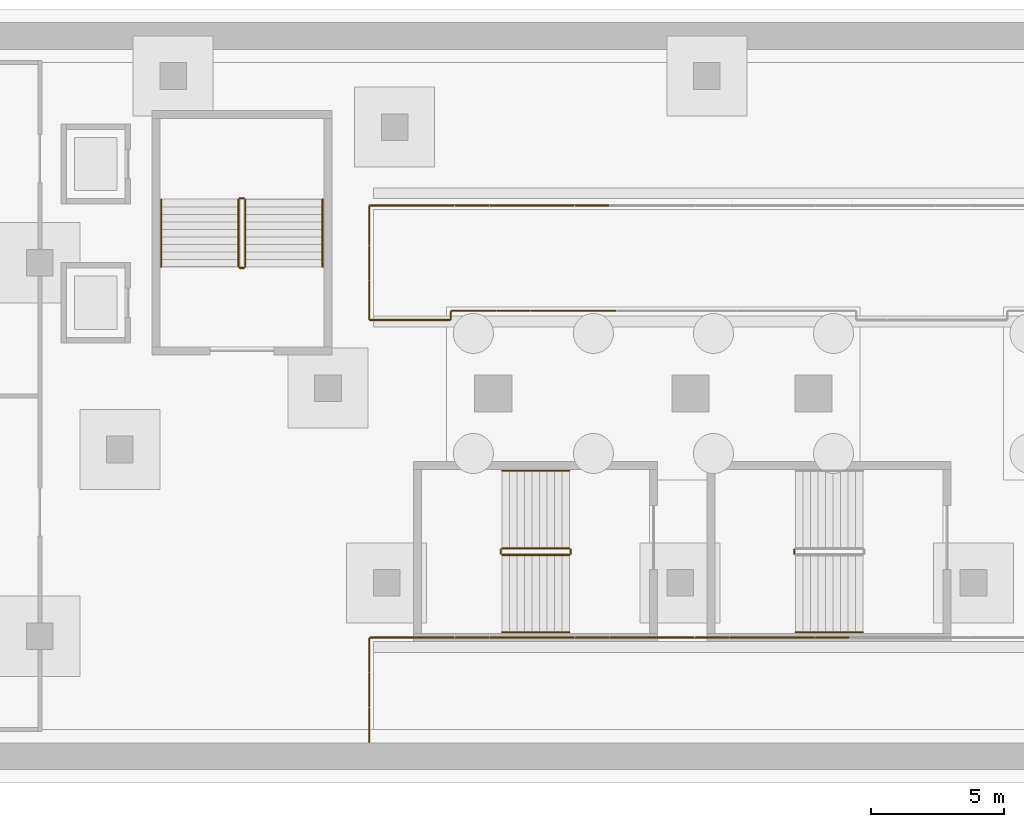
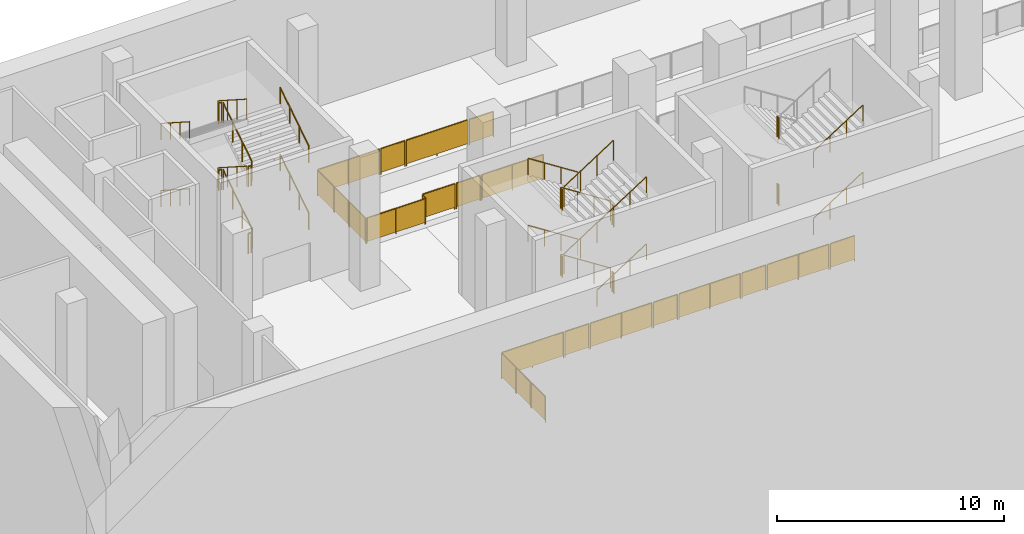
# One storey, part 9 of 15: 51 railings.
"""IFC4 building model written with IfcOpenShell, lengths in metres."""

from ifc_helpers import new_model, si_unit, direction, frame, origin, origin_2d, place, context, subcontext, project, spatial, rectangle, circle, extrude, material, type_object, element, save


model = new_model("IFC4")

# Units and contexts
model_context = context("Model", 3, precision=1e-05, world=origin(), true_north=direction((0.0, 1.0)))
body_context = subcontext(model_context, "Body", "Model", "MODEL_VIEW")
ifc_project = project(units=[si_unit("LENGTHUNIT", "METRE"), si_unit("AREAUNIT", "SQUARE_METRE"), si_unit("VOLUMEUNIT", "CUBIC_METRE"), si_unit("PLANEANGLEUNIT", "RADIAN"), si_unit("MASSUNIT", "GRAM", prefix="KILO")], contexts=[model_context])

# Site, building, storey
site_placement = place(None, origin())
site = spatial("IfcSite", under=ifc_project, at=site_placement, CompositionType="ELEMENT")
building_placement = place(site_placement, origin())
building = spatial("IfcBuilding", under=site, at=building_placement, Name="Wharfspan Tower", CompositionType="ELEMENT")
storey_placement = place(building_placement, frame((0.0, 0.0, -14.399902)))
storey = spatial("IfcBuildingStorey", under=building, at=storey_placement, Name="B2", CompositionType="ELEMENT", Elevation=-14.399902)

# Railings
ifc_material_1 = material(Name="Aluminium frame with laminated glass", Category="aluminium")
railing_type_1 = type_object("IfcRailingType", Name="Platform edge screen 1400", PredefinedType="GUARDRAIL", material=ifc_material_1)
for number, where, name in (
    (1, (7.350098, -34.958984, 0.0), "Platform edge screen"),
    (2, (7.350098, -32.334473, 0.0), "Platform edge screen"),
):
    element("IfcRailing", number, at=place(storey_placement, frame(where)), inside=storey, type_object=railing_type_1, Name=name, PredefinedType="GUARDRAIL", context=body_context, shape_type="SweptSolid", body=[
        extrude(circle(Radius=0.024902, at=origin_2d()), frame((0.0, 0.0, 1.375), z_axis=(0.0, 1.0, 0.0), x_axis=(-1.0, 0.0, 0.0)), (0.0, 0.0, 1.0), 1.244385),
        extrude(circle(Radius=0.024902, at=origin_2d()), origin(), (0.0, 0.0, 1.0), 1.349854),
        extrude(circle(Radius=0.024902, at=origin_2d()), frame((0.0, 1.244385, 0.0)), (0.0, 0.0, 1.0), 1.349854),
        extrude(rectangle(XDim=1.244385, YDim=0.02002, at=origin_2d()), frame((0.0, 0.62207, 0.100098), z_axis=(0.0, 0.0, 1.0), x_axis=(0.0, 1.0, 0.0)), (0.0, 0.0, 1.0), 1.249756),
    ])
for number, where, name in (
    (3, (7.389893, -31.050049, 0.0), "Platform edge screen"),
    (4, (11.889893, -31.050049, 0.0), "Platform edge screen"),
    (5, (16.389893, -31.050049, 0.0), "Platform edge screen"),
    (6, (20.889893, -31.050049, 0.0), "Platform edge screen"),
):
    element("IfcRailing", number, at=place(storey_placement, frame(where)), inside=storey, type_object=railing_type_1, Name=name, PredefinedType="GUARDRAIL", context=body_context, shape_type="SweptSolid", body=[
        extrude(circle(Radius=0.024902, at=origin_2d()), frame((0.0, 0.0, 1.375), z_axis=(1.0, 0.0, 0.0), x_axis=(0.0, 1.0, 0.0)), (0.0, 0.0, 1.0), 3.120117),
        extrude(circle(Radius=0.024902, at=origin_2d()), origin(), (0.0, 0.0, 1.0), 1.349854),
        extrude(circle(Radius=0.024902, at=origin_2d()), frame((1.560059, 0.0, 0.0)), (0.0, 0.0, 1.0), 1.349854),
        extrude(circle(Radius=0.024902, at=origin_2d()), frame((3.120117, 0.0, 0.0)), (0.0, 0.0, 1.0), 1.349854),
        extrude(rectangle(XDim=3.120117, YDim=0.02002, at=origin_2d()), frame((1.560059, 0.0, 0.100098), z_axis=(0.0, 0.0, 1.0), x_axis=(1.0, 0.0, 0.0)), (0.0, 0.0, 1.0), 1.249756),
    ])
for number, where, name in (
    (7, (7.350098, -19.110107, 0.0), "Platform edge screen"),
    (8, (7.350098, -16.310059, 0.0), "Platform edge screen"),
):
    element("IfcRailing", number, at=place(storey_placement, frame(where)), inside=storey, type_object=railing_type_1, Name=name, PredefinedType="GUARDRAIL", context=body_context, shape_type="SweptSolid", body=[
        extrude(circle(Radius=0.024902, at=origin_2d()), frame((0.0, 0.0, 1.375), z_axis=(0.0, 1.0, 0.0), x_axis=(-1.0, 0.0, 0.0)), (0.0, 0.0, 1.0), 1.420166),
        extrude(circle(Radius=0.024902, at=origin_2d()), origin(), (0.0, 0.0, 1.0), 1.349854),
        extrude(circle(Radius=0.024902, at=origin_2d()), frame((0.0, 1.420166, 0.0)), (0.0, 0.0, 1.0), 1.349854),
        extrude(rectangle(XDim=1.420166, YDim=0.02002, at=origin_2d()), frame((0.0, 0.709961, 0.100098), z_axis=(0.0, 0.0, 1.0), x_axis=(0.0, 1.0, 0.0)), (0.0, 0.0, 1.0), 1.249756),
    ])
railing_1_placement = place(storey_placement, frame((10.360107, -19.149902, 0.0)))
element("IfcRailing", 9, at=railing_1_placement, inside=storey, type_object=railing_type_1, Name="Platform edge screen", PredefinedType="GUARDRAIL", context=body_context, shape_type="SweptSolid", body=[
    extrude(circle(Radius=0.024902, at=origin_2d()), frame((0.0, 0.0, 1.375), z_axis=(-1.0, 0.0, 0.0), x_axis=(0.0, -1.0, 0.0)), (0.0, 0.0, 1.0), 2.970215),
    extrude(circle(Radius=0.024902, at=origin_2d()), origin(), (0.0, 0.0, 1.0), 1.349854),
    extrude(circle(Radius=0.024902, at=origin_2d()), frame((-1.485107, 0.0, 0.0)), (0.0, 0.0, 1.0), 1.349854),
    extrude(circle(Radius=0.024902, at=origin_2d()), frame((-2.970215, 0.0, 0.0)), (0.0, 0.0, 1.0), 1.349854),
    extrude(rectangle(XDim=2.970215, YDim=0.02002, at=origin_2d()), frame((-1.485107, 0.0, 0.100098), z_axis=(0.0, 0.0, 1.0), x_axis=(-1.0, 0.0, 0.0)), (0.0, 0.0, 1.0), 1.249756),
])
railing_2_placement = place(storey_placement, frame((10.399902, -18.840088, 0.0)))
element("IfcRailing", 10, at=railing_2_placement, inside=storey, type_object=railing_type_1, Name="Platform edge screen", PredefinedType="GUARDRAIL", context=body_context, shape_type="SweptSolid", body=[
    extrude(circle(Radius=0.024902, at=origin_2d()), frame((0.0, 0.0, 1.375), z_axis=(0.0, -1.0, 0.0), x_axis=(1.0, 0.0, 0.0)), (0.0, 0.0, 1.0), 0.27002),
    extrude(circle(Radius=0.024902, at=origin_2d()), origin(), (0.0, 0.0, 1.0), 1.349854),
    extrude(circle(Radius=0.024902, at=origin_2d()), frame((0.0, -0.27002, 0.0)), (0.0, 0.0, 1.0), 1.349854),
    extrude(rectangle(XDim=0.27002, YDim=0.02002, at=origin_2d()), frame((0.0, -0.13501, 0.100098), z_axis=(0.0, 0.0, 1.0), x_axis=(0.0, -1.0, 0.0)), (0.0, 0.0, 1.0), 1.249756),
])
railing_3_placement = place(storey_placement, frame((16.560059, -18.800049, 0.0)))
element("IfcRailing", 11, at=railing_3_placement, inside=storey, type_object=railing_type_1, Name="Platform edge screen", PredefinedType="GUARDRAIL", context=body_context, shape_type="SweptSolid", body=[
    extrude(circle(Radius=0.024902, at=origin_2d()), frame((0.0, 0.0, 1.375), z_axis=(-1.0, 0.0, 0.0), x_axis=(0.0, -1.0, 0.0)), (0.0, 0.0, 1.0), 3.120117),
    extrude(circle(Radius=0.024902, at=origin_2d()), origin(), (0.0, 0.0, 1.0), 1.349854),
    extrude(circle(Radius=0.024902, at=origin_2d()), frame((-1.560059, 0.0, 0.0)), (0.0, 0.0, 1.0), 1.349854),
    extrude(circle(Radius=0.024902, at=origin_2d()), frame((-3.120117, 0.0, 0.0)), (0.0, 0.0, 1.0), 1.349854),
    extrude(rectangle(XDim=3.120117, YDim=0.02002, at=origin_2d()), frame((-1.560059, 0.0, 0.100098), z_axis=(0.0, 0.0, 1.0), x_axis=(-1.0, 0.0, 0.0)), (0.0, 0.0, 1.0), 1.249756),
])
railing_4_placement = place(storey_placement, frame((12.060059, -18.800049, 0.0)))
element("IfcRailing", 12, at=railing_4_placement, inside=storey, type_object=railing_type_1, Name="Platform edge screen", PredefinedType="GUARDRAIL", context=body_context, shape_type="SweptSolid", body=[
    extrude(circle(Radius=0.024902, at=origin_2d()), frame((0.0, 0.0, 1.375), z_axis=(-1.0, 0.0, 0.0), x_axis=(0.0, -1.0, 0.0)), (0.0, 0.0, 1.0), 1.620117),
    extrude(circle(Radius=0.024902, at=origin_2d()), origin(), (0.0, 0.0, 1.0), 1.349854),
    extrude(circle(Radius=0.024902, at=origin_2d()), frame((-1.620117, 0.0, 0.0)), (0.0, 0.0, 1.0), 1.349854),
    extrude(rectangle(XDim=1.620117, YDim=0.02002, at=origin_2d()), frame((-0.810059, 0.0, 0.100098), z_axis=(0.0, 0.0, 1.0), x_axis=(-1.0, 0.0, 0.0)), (0.0, 0.0, 1.0), 1.249756),
])
for number, where, name in (
    (13, (7.389893, -14.850098, 0.0), "Platform edge screen"),
    (14, (11.889893, -14.850098, 0.0), "Platform edge screen"),
):
    element("IfcRailing", number, at=place(storey_placement, frame(where)), inside=storey, type_object=railing_type_1, Name=name, PredefinedType="GUARDRAIL", context=body_context, shape_type="SweptSolid", body=[
        extrude(circle(Radius=0.024902, at=origin_2d()), frame((0.0, 0.0, 1.375), z_axis=(1.0, 0.0, 0.0), x_axis=(0.0, 1.0, 0.0)), (0.0, 0.0, 1.0), 3.120117),
        extrude(circle(Radius=0.024902, at=origin_2d()), origin(), (0.0, 0.0, 1.0), 1.349854),
        extrude(circle(Radius=0.024902, at=origin_2d()), frame((1.560059, 0.0, 0.0)), (0.0, 0.0, 1.0), 1.349854),
        extrude(circle(Radius=0.024902, at=origin_2d()), frame((3.120117, 0.0, 0.0)), (0.0, 0.0, 1.0), 1.349854),
        extrude(rectangle(XDim=3.120117, YDim=0.02002, at=origin_2d()), frame((1.560059, 0.0, 0.100098), z_axis=(0.0, 0.0, 1.0), x_axis=(1.0, 0.0, 0.0)), (0.0, 0.0, 1.0), 1.249756),
    ])
railing_type_2 = type_object("IfcRailingType", Name="Platform end gate 1400 (closed)", PredefinedType="GUARDRAIL", material=ifc_material_1)
railing_5_placement = place(storey_placement, frame((7.350098, -33.634521, 0.0)))
element("IfcRailing", 15, at=railing_5_placement, inside=storey, type_object=railing_type_2, Name="Platform end gate (closed)", PredefinedType="GUARDRAIL", context=body_context, shape_type="SweptSolid", body=[
    extrude(circle(Radius=0.024902, at=origin_2d()), frame((0.0, 0.0, 1.375), z_axis=(0.0, 1.0, 0.0), x_axis=(-1.0, 0.0, 0.0)), (0.0, 0.0, 1.0), 1.219971),
    extrude(circle(Radius=0.024902, at=origin_2d()), origin(), (0.0, 0.0, 1.0), 1.349854),
    extrude(circle(Radius=0.024902, at=origin_2d()), frame((0.0, 1.219971, 0.0)), (0.0, 0.0, 1.0), 1.349854),
    extrude(rectangle(XDim=1.219971, YDim=0.02002, at=origin_2d()), frame((0.0, 0.609863, 0.100098), z_axis=(0.0, 0.0, 1.0), x_axis=(0.0, 1.0, 0.0)), (0.0, 0.0, 1.0), 1.249756),
])
railing_6_placement = place(storey_placement, frame((7.350098, -17.610107, 0.0)))
element("IfcRailing", 16, at=railing_6_placement, inside=storey, type_object=railing_type_2, Name="Platform end gate (closed)", PredefinedType="GUARDRAIL", context=body_context, shape_type="SweptSolid", body=[
    extrude(circle(Radius=0.024902, at=origin_2d()), frame((0.0, 0.0, 1.375), z_axis=(0.0, 1.0, 0.0), x_axis=(-1.0, 0.0, 0.0)), (0.0, 0.0, 1.0), 1.220215),
    extrude(circle(Radius=0.024902, at=origin_2d()), origin(), (0.0, 0.0, 1.0), 1.349854),
    extrude(circle(Radius=0.024902, at=origin_2d()), frame((0.0, 1.220215, 0.0)), (0.0, 0.0, 1.0), 1.349854),
    extrude(rectangle(XDim=1.220215, YDim=0.02002, at=origin_2d()), frame((0.0, 0.610107, 0.100098), z_axis=(0.0, 0.0, 1.0), x_axis=(0.0, 1.0, 0.0)), (0.0, 0.0, 1.0), 1.249756),
])
railing_type_3 = type_object("IfcRailingType", Name="Platform screen door leaf 1400 (closed)", PredefinedType="GUARDRAIL", material=ifc_material_1)
for number, where, name in (
    (17, (10.590088, -31.050049, 0.0), "Platform screen door leaf (closed)"),
    (18, (15.090088, -31.050049, 0.0), "Platform screen door leaf (closed)"),
    (19, (19.590088, -31.050049, 0.0), "Platform screen door leaf (closed)"),
    (20, (24.090088, -31.050049, 0.0), "Platform screen door leaf (closed)"),
):
    element("IfcRailing", number, at=place(storey_placement, frame(where)), inside=storey, type_object=railing_type_3, Name=name, PredefinedType="GUARDRAIL", context=body_context, shape_type="SweptSolid", body=[
        extrude(circle(Radius=0.024902, at=origin_2d()), frame((0.0, 0.0, 1.375), z_axis=(1.0, 0.0, 0.0), x_axis=(0.0, 1.0, 0.0)), (0.0, 0.0, 1.0), 1.219971),
        extrude(circle(Radius=0.024902, at=origin_2d()), origin(), (0.0, 0.0, 1.0), 1.349854),
        extrude(circle(Radius=0.024902, at=origin_2d()), frame((1.219971, 0.0, 0.0)), (0.0, 0.0, 1.0), 1.349854),
        extrude(rectangle(XDim=1.219971, YDim=0.02002, at=origin_2d()), frame((0.609863, 0.0, 0.100098), z_axis=(0.0, 0.0, 1.0), x_axis=(1.0, 0.0, 0.0)), (0.0, 0.0, 1.0), 1.249756),
    ])
railing_7_placement = place(storey_placement, frame((13.360107, -18.800049, 0.0)))
element("IfcRailing", 21, at=railing_7_placement, inside=storey, type_object=railing_type_3, Name="Platform screen door leaf (closed)", PredefinedType="GUARDRAIL", context=body_context, shape_type="SweptSolid", body=[
    extrude(circle(Radius=0.024902, at=origin_2d()), frame((0.0, 0.0, 1.375), z_axis=(-1.0, 0.0, 0.0), x_axis=(0.0, -1.0, 0.0)), (0.0, 0.0, 1.0), 1.220215),
    extrude(circle(Radius=0.024902, at=origin_2d()), origin(), (0.0, 0.0, 1.0), 1.349854),
    extrude(circle(Radius=0.024902, at=origin_2d()), frame((-1.220215, 0.0, 0.0)), (0.0, 0.0, 1.0), 1.349854),
    extrude(rectangle(XDim=1.220215, YDim=0.02002, at=origin_2d()), frame((-0.610107, 0.0, 0.100098), z_axis=(0.0, 0.0, 1.0), x_axis=(-1.0, 0.0, 0.0)), (0.0, 0.0, 1.0), 1.249756),
])
for number, where, name in (
    (22, (10.590088, -14.850098, 0.0), "Platform screen door leaf (closed)"),
    (23, (15.090088, -14.850098, 0.0), "Platform screen door leaf (closed)"),
):
    element("IfcRailing", number, at=place(storey_placement, frame(where)), inside=storey, type_object=railing_type_3, Name=name, PredefinedType="GUARDRAIL", context=body_context, shape_type="SweptSolid", body=[
        extrude(circle(Radius=0.024902, at=origin_2d()), frame((0.0, 0.0, 1.375), z_axis=(1.0, 0.0, 0.0), x_axis=(0.0, 1.0, 0.0)), (0.0, 0.0, 1.0), 1.219971),
        extrude(circle(Radius=0.024902, at=origin_2d()), origin(), (0.0, 0.0, 1.0), 1.349854),
        extrude(circle(Radius=0.024902, at=origin_2d()), frame((1.219971, 0.0, 0.0)), (0.0, 0.0, 1.0), 1.349854),
        extrude(rectangle(XDim=1.219971, YDim=0.02002, at=origin_2d()), frame((0.609863, 0.0, 0.100098), z_axis=(0.0, 0.0, 1.0), x_axis=(1.0, 0.0, 0.0)), (0.0, 0.0, 1.0), 1.249756),
    ])
ifc_material_2 = material(Name="Steel S355J2", Category="steel")
railing_type_4 = type_object("IfcRailingType", Name="Podium guard 1100", PredefinedType="GUARDRAIL", material=ifc_material_2)
railing_8_placement = place(storey_placement, frame((14.850098, -27.699951, 0.179932)))
element("IfcRailing", 24, at=railing_8_placement, inside=storey, type_object=railing_type_4, Name="B2 SB1 stair guard 1", PredefinedType="GUARDRAIL", context=body_context, shape_type="SweptSolid", body=[
    extrude(circle(Radius=0.023926, at=origin_2d()), frame((0.0, 0.0, 1.076172), z_axis=(-0.8412, 0.0, 0.540725), x_axis=(0.0, -1.0, 0.0)), (0.0, 0.0, 1.0), 2.99585),
    extrude(circle(Radius=0.020996, at=origin_2d()), origin(), (0.0, 0.0, 1.0), 1.052002),
    extrude(circle(Radius=0.020996, at=origin_2d()), frame((-0.840088, 0.0, 0.540039)), (0.0, 0.0, 1.0), 1.052002),
    extrude(circle(Radius=0.020996, at=origin_2d()), frame((-1.679932, 0.0, 1.079834)), (0.0, 0.0, 1.0), 1.052002),
    extrude(circle(Radius=0.020996, at=origin_2d()), frame((-2.52002, 0.0, 1.619873)), (0.0, 0.0, 1.0), 1.052002),
])
railing_9_placement = place(storey_placement, frame((12.280029, -27.75, 1.799805)))
element("IfcRailing", 25, at=railing_9_placement, inside=storey, type_object=railing_type_4, Name="B2 SB1 stair guard 2", PredefinedType="GUARDRAIL", context=body_context, shape_type="SweptSolid", body=[
    extrude(circle(Radius=0.023926, at=origin_2d()), frame((0.0, 0.0, 1.076172), z_axis=(0.0, -1.0, 0.0), x_axis=(1.0, 0.0, 0.0)), (0.0, 0.0, 1.0), 0.149902),
    extrude(circle(Radius=0.020996, at=origin_2d()), origin(), (0.0, 0.0, 1.0), 1.052002),
    extrude(circle(Radius=0.020996, at=origin_2d()), frame((0.0, -0.149902, 0.0)), (0.0, 0.0, 1.0), 1.052002),
])
railing_10_placement = place(storey_placement, frame((12.330078, -27.949951, 1.97998)))
element("IfcRailing", 26, at=railing_10_placement, inside=storey, type_object=railing_type_4, Name="B2 SB1 stair guard 3", PredefinedType="GUARDRAIL", context=body_context, shape_type="SweptSolid", body=[
    extrude(circle(Radius=0.023926, at=origin_2d()), frame((0.0, 0.0, 1.076172), z_axis=(0.8412, 0.0, 0.540725), x_axis=(0.0, 1.0, 0.0)), (0.0, 0.0, 1.0), 2.99585),
    extrude(circle(Radius=0.020996, at=origin_2d()), origin(), (0.0, 0.0, 1.0), 1.052002),
    extrude(circle(Radius=0.020996, at=origin_2d()), frame((0.840088, 0.0, 0.540039)), (0.0, 0.0, 1.0), 1.052002),
    extrude(circle(Radius=0.020996, at=origin_2d()), frame((1.679932, 0.0, 1.079834)), (0.0, 0.0, 1.0), 1.052002),
    extrude(circle(Radius=0.020996, at=origin_2d()), frame((2.52002, 0.0, 1.619873)), (0.0, 0.0, 1.0), 1.052002),
])
railing_11_placement = place(storey_placement, frame((14.899902, -27.75, 3.599854)))
element("IfcRailing", 27, at=railing_11_placement, inside=storey, type_object=railing_type_4, Name="B2 SB1 stair guard 4", PredefinedType="GUARDRAIL", context=body_context, shape_type="SweptSolid", body=[
    extrude(circle(Radius=0.023926, at=origin_2d()), frame((0.0, 0.0, 1.076172), z_axis=(0.0, -1.0, 0.0), x_axis=(1.0, 0.0, 0.0)), (0.0, 0.0, 1.0), 0.149902),
    extrude(circle(Radius=0.020996, at=origin_2d()), origin(), (0.0, 0.0, 1.0), 1.052002),
    extrude(circle(Radius=0.020996, at=origin_2d()), frame((0.0, -0.149902, 0.0)), (0.0, 0.0, 1.0), 1.052002),
])
railing_12_placement = place(storey_placement, frame((14.850098, -27.699951, 3.779785)))
element("IfcRailing", 28, at=railing_12_placement, inside=storey, type_object=railing_type_4, Name="B2 SB1 stair guard 5", PredefinedType="GUARDRAIL", context=body_context, shape_type="SweptSolid", body=[
    extrude(circle(Radius=0.023926, at=origin_2d()), frame((0.0, 0.0, 1.076172), z_axis=(-0.841163, 0.0, 0.540782), x_axis=(0.0, -1.0, 0.0)), (0.0, 0.0, 1.0), 2.99585),
    extrude(circle(Radius=0.020996, at=origin_2d()), origin(), (0.0, 0.0, 1.0), 1.052002),
    extrude(circle(Radius=0.020996, at=origin_2d()), frame((-0.840088, 0.0, 0.540039)), (0.0, 0.0, 1.0), 1.052002),
    extrude(circle(Radius=0.020996, at=origin_2d()), frame((-1.679932, 0.0, 1.080078)), (0.0, 0.0, 1.0), 1.052002),
    extrude(circle(Radius=0.020996, at=origin_2d()), frame((-2.52002, 0.0, 1.620117)), (0.0, 0.0, 1.0), 1.052002),
])
railing_13_placement = place(storey_placement, frame((12.280029, -27.75, 5.399902)))
element("IfcRailing", 29, at=railing_13_placement, inside=storey, type_object=railing_type_4, Name="B2 SB1 stair guard 6", PredefinedType="GUARDRAIL", context=body_context, shape_type="SweptSolid", body=[
    extrude(circle(Radius=0.023926, at=origin_2d()), frame((0.0, 0.0, 1.076172), z_axis=(0.0, -1.0, 0.0), x_axis=(1.0, 0.0, 0.0)), (0.0, 0.0, 1.0), 0.149902),
    extrude(circle(Radius=0.020996, at=origin_2d()), origin(), (0.0, 0.0, 1.0), 1.052002),
    extrude(circle(Radius=0.020996, at=origin_2d()), frame((0.0, -0.149902, 0.0)), (0.0, 0.0, 1.0), 1.052002),
])
railing_14_placement = place(storey_placement, frame((12.330078, -27.949951, 5.579834)))
element("IfcRailing", 30, at=railing_14_placement, inside=storey, type_object=railing_type_4, Name="B2 SB1 stair guard 7", PredefinedType="GUARDRAIL", context=body_context, shape_type="SweptSolid", body=[
    extrude(circle(Radius=0.023926, at=origin_2d()), frame((0.0, 0.0, 1.076172), z_axis=(0.841163, 0.0, 0.540782), x_axis=(0.0, 1.0, 0.0)), (0.0, 0.0, 1.0), 2.99585),
    extrude(circle(Radius=0.020996, at=origin_2d()), origin(), (0.0, 0.0, 1.0), 1.052002),
    extrude(circle(Radius=0.020996, at=origin_2d()), frame((0.840088, 0.0, 0.540039)), (0.0, 0.0, 1.0), 1.052002),
    extrude(circle(Radius=0.020996, at=origin_2d()), frame((1.679932, 0.0, 1.080078)), (0.0, 0.0, 1.0), 1.052002),
    extrude(circle(Radius=0.020996, at=origin_2d()), frame((2.52002, 0.0, 1.620117)), (0.0, 0.0, 1.0), 1.052002),
])
for number, where, name in (
    (31, (14.899902, -27.75, 0.0), "B2 SB1 stair guard 8"),
    (32, (23.280029, -27.75, 1.799805), "B2 SB2 stair guard 2"),
    (33, (23.280029, -27.75, 5.399902), "B2 SB2 stair guard 6"),
):
    element("IfcRailing", number, at=place(storey_placement, frame(where)), inside=storey, type_object=railing_type_4, Name=name, PredefinedType="GUARDRAIL", context=body_context, shape_type="SweptSolid", body=[
        extrude(circle(Radius=0.023926, at=origin_2d()), frame((0.0, 0.0, 1.076172), z_axis=(0.0, -1.0, 0.0), x_axis=(1.0, 0.0, 0.0)), (0.0, 0.0, 1.0), 0.149902),
        extrude(circle(Radius=0.020996, at=origin_2d()), origin(), (0.0, 0.0, 1.0), 1.052002),
        extrude(circle(Radius=0.020996, at=origin_2d()), frame((0.0, -0.149902, 0.0)), (0.0, 0.0, 1.0), 1.052002),
    ])
railing_15_placement = place(storey_placement, frame((2.699951, -17.149902, 0.179932)))
element("IfcRailing", 34, at=railing_15_placement, inside=storey, type_object=railing_type_4, Name="B2 SB6 stair guard 1", PredefinedType="GUARDRAIL", context=body_context, shape_type="SweptSolid", body=[
    extrude(circle(Radius=0.023926, at=origin_2d()), frame((0.0, 0.0, 1.076172), z_axis=(0.0, 0.8412, 0.540725), x_axis=(-1.0, 0.0, 0.0)), (0.0, 0.0, 1.0), 2.99585),
    extrude(circle(Radius=0.020996, at=origin_2d()), origin(), (0.0, 0.0, 1.0), 1.052002),
    extrude(circle(Radius=0.020996, at=origin_2d()), frame((0.0, 0.840088, 0.540039)), (0.0, 0.0, 1.0), 1.052002),
    extrude(circle(Radius=0.020996, at=origin_2d()), frame((0.0, 1.679932, 1.079834)), (0.0, 0.0, 1.0), 1.052002),
    extrude(circle(Radius=0.020996, at=origin_2d()), frame((0.0, 2.52002, 1.619873)), (0.0, 0.0, 1.0), 1.052002),
])
railing_16_placement = place(storey_placement, frame((2.649902, -14.580078, 1.799805)))
element("IfcRailing", 35, at=railing_16_placement, inside=storey, type_object=railing_type_4, Name="B2 SB6 stair guard 2", PredefinedType="GUARDRAIL", context=body_context, shape_type="SweptSolid", body=[
    extrude(circle(Radius=0.023926, at=origin_2d()), frame((0.0, 0.0, 1.076172), z_axis=(-1.0, 0.0, 0.0), x_axis=(0.0, -1.0, 0.0)), (0.0, 0.0, 1.0), 0.149902),
    extrude(circle(Radius=0.020996, at=origin_2d()), origin(), (0.0, 0.0, 1.0), 1.052002),
    extrude(circle(Radius=0.020996, at=origin_2d()), frame((-0.149902, 0.0, 0.0)), (0.0, 0.0, 1.0), 1.052002),
])
railing_17_placement = place(storey_placement, frame((2.449951, -14.629883, 1.97998)))
element("IfcRailing", 36, at=railing_17_placement, inside=storey, type_object=railing_type_4, Name="B2 SB6 stair guard 3", PredefinedType="GUARDRAIL", context=body_context, shape_type="SweptSolid", body=[
    extrude(circle(Radius=0.023926, at=origin_2d()), frame((0.0, 0.0, 1.076172), z_axis=(0.0, -0.8412, 0.540725), x_axis=(1.0, 0.0, 0.0)), (0.0, 0.0, 1.0), 2.99585),
    extrude(circle(Radius=0.020996, at=origin_2d()), origin(), (0.0, 0.0, 1.0), 1.052002),
    extrude(circle(Radius=0.020996, at=origin_2d()), frame((0.0, -0.840088, 0.540039)), (0.0, 0.0, 1.0), 1.052002),
    extrude(circle(Radius=0.020996, at=origin_2d()), frame((0.0, -1.679932, 1.079834)), (0.0, 0.0, 1.0), 1.052002),
    extrude(circle(Radius=0.020996, at=origin_2d()), frame((0.0, -2.52002, 1.619873)), (0.0, 0.0, 1.0), 1.052002),
])
railing_18_placement = place(storey_placement, frame((2.649902, -17.199951, 3.599854)))
element("IfcRailing", 37, at=railing_18_placement, inside=storey, type_object=railing_type_4, Name="B2 SB6 stair guard 4", PredefinedType="GUARDRAIL", context=body_context, shape_type="SweptSolid", body=[
    extrude(circle(Radius=0.023926, at=origin_2d()), frame((0.0, 0.0, 1.076172), z_axis=(-1.0, 0.0, 0.0), x_axis=(0.0, -1.0, 0.0)), (0.0, 0.0, 1.0), 0.149902),
    extrude(circle(Radius=0.020996, at=origin_2d()), origin(), (0.0, 0.0, 1.0), 1.052002),
    extrude(circle(Radius=0.020996, at=origin_2d()), frame((-0.149902, 0.0, 0.0)), (0.0, 0.0, 1.0), 1.052002),
])
railing_19_placement = place(storey_placement, frame((2.699951, -17.149902, 3.779785)))
element("IfcRailing", 38, at=railing_19_placement, inside=storey, type_object=railing_type_4, Name="B2 SB6 stair guard 5", PredefinedType="GUARDRAIL", context=body_context, shape_type="SweptSolid", body=[
    extrude(circle(Radius=0.023926, at=origin_2d()), frame((0.0, 0.0, 1.076172), z_axis=(0.0, 0.841163, 0.540782), x_axis=(-1.0, 0.0, 0.0)), (0.0, 0.0, 1.0), 2.99585),
    extrude(circle(Radius=0.020996, at=origin_2d()), origin(), (0.0, 0.0, 1.0), 1.052002),
    extrude(circle(Radius=0.020996, at=origin_2d()), frame((0.0, 0.840088, 0.540039)), (0.0, 0.0, 1.0), 1.052002),
    extrude(circle(Radius=0.020996, at=origin_2d()), frame((0.0, 1.679932, 1.080078)), (0.0, 0.0, 1.0), 1.052002),
    extrude(circle(Radius=0.020996, at=origin_2d()), frame((0.0, 2.52002, 1.620117)), (0.0, 0.0, 1.0), 1.052002),
])
railing_20_placement = place(storey_placement, frame((2.649902, -14.580078, 5.399902)))
element("IfcRailing", 39, at=railing_20_placement, inside=storey, type_object=railing_type_4, Name="B2 SB6 stair guard 6", PredefinedType="GUARDRAIL", context=body_context, shape_type="SweptSolid", body=[
    extrude(circle(Radius=0.023926, at=origin_2d()), frame((0.0, 0.0, 1.076172), z_axis=(-1.0, 0.0, 0.0), x_axis=(0.0, -1.0, 0.0)), (0.0, 0.0, 1.0), 0.149902),
    extrude(circle(Radius=0.020996, at=origin_2d()), origin(), (0.0, 0.0, 1.0), 1.052002),
    extrude(circle(Radius=0.020996, at=origin_2d()), frame((-0.149902, 0.0, 0.0)), (0.0, 0.0, 1.0), 1.052002),
])
railing_21_placement = place(storey_placement, frame((2.449951, -14.629883, 5.579834)))
element("IfcRailing", 40, at=railing_21_placement, inside=storey, type_object=railing_type_4, Name="B2 SB6 stair guard 7", PredefinedType="GUARDRAIL", context=body_context, shape_type="SweptSolid", body=[
    extrude(circle(Radius=0.023926, at=origin_2d()), frame((0.0, 0.0, 1.076172), z_axis=(0.0, -0.841163, 0.540782), x_axis=(1.0, 0.0, 0.0)), (0.0, 0.0, 1.0), 2.99585),
    extrude(circle(Radius=0.020996, at=origin_2d()), origin(), (0.0, 0.0, 1.0), 1.052002),
    extrude(circle(Radius=0.020996, at=origin_2d()), frame((0.0, -0.840088, 0.540039)), (0.0, 0.0, 1.0), 1.052002),
    extrude(circle(Radius=0.020996, at=origin_2d()), frame((0.0, -1.679932, 1.080078)), (0.0, 0.0, 1.0), 1.052002),
    extrude(circle(Radius=0.020996, at=origin_2d()), frame((0.0, -2.52002, 1.620117)), (0.0, 0.0, 1.0), 1.052002),
])
railing_22_placement = place(storey_placement, frame((2.649902, -17.199951, 0.0)))
element("IfcRailing", 41, at=railing_22_placement, inside=storey, type_object=railing_type_4, Name="B2 SB6 stair guard 8", PredefinedType="GUARDRAIL", context=body_context, shape_type="SweptSolid", body=[
    extrude(circle(Radius=0.023926, at=origin_2d()), frame((0.0, 0.0, 1.076172), z_axis=(-1.0, 0.0, 0.0), x_axis=(0.0, -1.0, 0.0)), (0.0, 0.0, 1.0), 0.149902),
    extrude(circle(Radius=0.020996, at=origin_2d()), origin(), (0.0, 0.0, 1.0), 1.052002),
    extrude(circle(Radius=0.020996, at=origin_2d()), frame((-0.149902, 0.0, 0.0)), (0.0, 0.0, 1.0), 1.052002),
])
railing_type_5 = type_object("IfcRailingType", Name="Podium stair handrail 900", PredefinedType="HANDRAIL", material=ifc_material_2)
railing_23_placement = place(storey_placement, frame((14.850098, -24.800049, 0.179932)))
element("IfcRailing", 42, at=railing_23_placement, inside=storey, type_object=railing_type_5, Name="B2 SB1 stair handrail 1", PredefinedType="HANDRAIL", context=body_context, shape_type="SweptSolid", body=[
    extrude(circle(Radius=0.023926, at=origin_2d()), frame((0.0, 0.0, 0.875977), z_axis=(-0.8412, 0.0, 0.540725), x_axis=(0.0, -1.0, 0.0)), (0.0, 0.0, 1.0), 2.99585),
    extrude(circle(Radius=0.020996, at=origin_2d()), origin(), (0.0, 0.0, 1.0), 0.851807),
    extrude(circle(Radius=0.020996, at=origin_2d()), frame((-0.840088, 0.0, 0.540039)), (0.0, 0.0, 1.0), 0.851807),
    extrude(circle(Radius=0.020996, at=origin_2d()), frame((-1.679932, 0.0, 1.079834)), (0.0, 0.0, 1.0), 0.851807),
    extrude(circle(Radius=0.020996, at=origin_2d()), frame((-2.52002, 0.0, 1.619873)), (0.0, 0.0, 1.0), 0.851807),
])
railing_24_placement = place(storey_placement, frame((12.330078, -30.850098, 1.97998)))
element("IfcRailing", 43, at=railing_24_placement, inside=storey, type_object=railing_type_5, Name="B2 SB1 stair handrail 2", PredefinedType="HANDRAIL", context=body_context, shape_type="SweptSolid", body=[
    extrude(circle(Radius=0.023926, at=origin_2d()), frame((0.0, 0.0, 0.875977), z_axis=(0.8412, 0.0, 0.540725), x_axis=(0.0, 1.0, 0.0)), (0.0, 0.0, 1.0), 2.99585),
    extrude(circle(Radius=0.020996, at=origin_2d()), origin(), (0.0, 0.0, 1.0), 0.851807),
    extrude(circle(Radius=0.020996, at=origin_2d()), frame((0.840088, 0.0, 0.540039)), (0.0, 0.0, 1.0), 0.851807),
    extrude(circle(Radius=0.020996, at=origin_2d()), frame((1.679932, 0.0, 1.079834)), (0.0, 0.0, 1.0), 0.851807),
    extrude(circle(Radius=0.020996, at=origin_2d()), frame((2.52002, 0.0, 1.619873)), (0.0, 0.0, 1.0), 0.851807),
])
railing_25_placement = place(storey_placement, frame((14.850098, -24.800049, 3.779785)))
element("IfcRailing", 44, at=railing_25_placement, inside=storey, type_object=railing_type_5, Name="B2 SB1 stair handrail 3", PredefinedType="HANDRAIL", context=body_context, shape_type="SweptSolid", body=[
    extrude(circle(Radius=0.023926, at=origin_2d()), frame((0.0, 0.0, 0.875977), z_axis=(-0.841163, 0.0, 0.540782), x_axis=(0.0, -1.0, 0.0)), (0.0, 0.0, 1.0), 2.99585),
    extrude(circle(Radius=0.020996, at=origin_2d()), origin(), (0.0, 0.0, 1.0), 0.851807),
    extrude(circle(Radius=0.020996, at=origin_2d()), frame((-0.840088, 0.0, 0.540039)), (0.0, 0.0, 1.0), 0.851807),
    extrude(circle(Radius=0.020996, at=origin_2d()), frame((-1.679932, 0.0, 1.080078)), (0.0, 0.0, 1.0), 0.851807),
    extrude(circle(Radius=0.020996, at=origin_2d()), frame((-2.52002, 0.0, 1.620117)), (0.0, 0.0, 1.0), 0.851807),
])
railing_26_placement = place(storey_placement, frame((12.330078, -30.850098, 5.579834)))
element("IfcRailing", 45, at=railing_26_placement, inside=storey, type_object=railing_type_5, Name="B2 SB1 stair handrail 4", PredefinedType="HANDRAIL", context=body_context, shape_type="SweptSolid", body=[
    extrude(circle(Radius=0.023926, at=origin_2d()), frame((0.0, 0.0, 0.875977), z_axis=(0.841163, 0.0, 0.540782), x_axis=(0.0, 1.0, 0.0)), (0.0, 0.0, 1.0), 2.99585),
    extrude(circle(Radius=0.020996, at=origin_2d()), origin(), (0.0, 0.0, 1.0), 0.851807),
    extrude(circle(Radius=0.020996, at=origin_2d()), frame((0.840088, 0.0, 0.540039)), (0.0, 0.0, 1.0), 0.851807),
    extrude(circle(Radius=0.020996, at=origin_2d()), frame((1.679932, 0.0, 1.080078)), (0.0, 0.0, 1.0), 0.851807),
    extrude(circle(Radius=0.020996, at=origin_2d()), frame((2.52002, 0.0, 1.620117)), (0.0, 0.0, 1.0), 0.851807),
])
railing_27_placement = place(storey_placement, frame((23.330078, -30.850098, 1.97998)))
element("IfcRailing", 46, at=railing_27_placement, inside=storey, type_object=railing_type_5, Name="B2 SB2 stair handrail 2", PredefinedType="HANDRAIL", context=body_context, shape_type="SweptSolid", body=[
    extrude(circle(Radius=0.023926, at=origin_2d()), frame((0.0, 0.0, 0.875977), z_axis=(0.8412, 0.0, 0.540725), x_axis=(0.0, 1.0, 0.0)), (0.0, 0.0, 1.0), 2.99585),
    extrude(circle(Radius=0.020996, at=origin_2d()), origin(), (0.0, 0.0, 1.0), 0.851807),
    extrude(circle(Radius=0.020996, at=origin_2d()), frame((0.840088, 0.0, 0.540039)), (0.0, 0.0, 1.0), 0.851807),
    extrude(circle(Radius=0.020996, at=origin_2d()), frame((1.679932, 0.0, 1.079834)), (0.0, 0.0, 1.0), 0.851807),
    extrude(circle(Radius=0.020996, at=origin_2d()), frame((2.52002, 0.0, 1.619873)), (0.0, 0.0, 1.0), 0.851807),
])
railing_28_placement = place(storey_placement, frame((23.330078, -30.850098, 5.579834)))
element("IfcRailing", 47, at=railing_28_placement, inside=storey, type_object=railing_type_5, Name="B2 SB2 stair handrail 4", PredefinedType="HANDRAIL", context=body_context, shape_type="SweptSolid", body=[
    extrude(circle(Radius=0.023926, at=origin_2d()), frame((0.0, 0.0, 0.875977), z_axis=(0.841163, 0.0, 0.540782), x_axis=(0.0, 1.0, 0.0)), (0.0, 0.0, 1.0), 2.99585),
    extrude(circle(Radius=0.020996, at=origin_2d()), origin(), (0.0, 0.0, 1.0), 0.851807),
    extrude(circle(Radius=0.020996, at=origin_2d()), frame((0.840088, 0.0, 0.540039)), (0.0, 0.0, 1.0), 0.851807),
    extrude(circle(Radius=0.020996, at=origin_2d()), frame((1.679932, 0.0, 1.080078)), (0.0, 0.0, 1.0), 0.851807),
    extrude(circle(Radius=0.020996, at=origin_2d()), frame((2.52002, 0.0, 1.620117)), (0.0, 0.0, 1.0), 0.851807),
])
railing_29_placement = place(storey_placement, frame((5.600098, -17.149902, 0.179932)))
element("IfcRailing", 48, at=railing_29_placement, inside=storey, type_object=railing_type_5, Name="B2 SB6 stair handrail 1", PredefinedType="HANDRAIL", context=body_context, shape_type="SweptSolid", body=[
    extrude(circle(Radius=0.023926, at=origin_2d()), frame((0.0, 0.0, 0.875977), z_axis=(0.0, 0.8412, 0.540725), x_axis=(-1.0, 0.0, 0.0)), (0.0, 0.0, 1.0), 2.99585),
    extrude(circle(Radius=0.020996, at=origin_2d()), origin(), (0.0, 0.0, 1.0), 0.851807),
    extrude(circle(Radius=0.020996, at=origin_2d()), frame((0.0, 0.840088, 0.540039)), (0.0, 0.0, 1.0), 0.851807),
    extrude(circle(Radius=0.020996, at=origin_2d()), frame((0.0, 1.679932, 1.079834)), (0.0, 0.0, 1.0), 0.851807),
    extrude(circle(Radius=0.020996, at=origin_2d()), frame((0.0, 2.52002, 1.619873)), (0.0, 0.0, 1.0), 0.851807),
])
railing_30_placement = place(storey_placement, frame((-0.449951, -14.629883, 1.97998)))
element("IfcRailing", 49, at=railing_30_placement, inside=storey, type_object=railing_type_5, Name="B2 SB6 stair handrail 2", PredefinedType="HANDRAIL", context=body_context, shape_type="SweptSolid", body=[
    extrude(circle(Radius=0.023926, at=origin_2d()), frame((0.0, 0.0, 0.875977), z_axis=(0.0, -0.8412, 0.540725), x_axis=(1.0, 0.0, 0.0)), (0.0, 0.0, 1.0), 2.99585),
    extrude(circle(Radius=0.020996, at=origin_2d()), origin(), (0.0, 0.0, 1.0), 0.851807),
    extrude(circle(Radius=0.020996, at=origin_2d()), frame((0.0, -0.840088, 0.540039)), (0.0, 0.0, 1.0), 0.851807),
    extrude(circle(Radius=0.020996, at=origin_2d()), frame((0.0, -1.679932, 1.079834)), (0.0, 0.0, 1.0), 0.851807),
    extrude(circle(Radius=0.020996, at=origin_2d()), frame((0.0, -2.52002, 1.619873)), (0.0, 0.0, 1.0), 0.851807),
])
railing_31_placement = place(storey_placement, frame((5.600098, -17.149902, 3.779785)))
element("IfcRailing", 50, at=railing_31_placement, inside=storey, type_object=railing_type_5, Name="B2 SB6 stair handrail 3", PredefinedType="HANDRAIL", context=body_context, shape_type="SweptSolid", body=[
    extrude(circle(Radius=0.023926, at=origin_2d()), frame((0.0, 0.0, 0.875977), z_axis=(0.0, 0.841163, 0.540782), x_axis=(-1.0, 0.0, 0.0)), (0.0, 0.0, 1.0), 2.99585),
    extrude(circle(Radius=0.020996, at=origin_2d()), origin(), (0.0, 0.0, 1.0), 0.851807),
    extrude(circle(Radius=0.020996, at=origin_2d()), frame((0.0, 0.840088, 0.540039)), (0.0, 0.0, 1.0), 0.851807),
    extrude(circle(Radius=0.020996, at=origin_2d()), frame((0.0, 1.679932, 1.080078)), (0.0, 0.0, 1.0), 0.851807),
    extrude(circle(Radius=0.020996, at=origin_2d()), frame((0.0, 2.52002, 1.620117)), (0.0, 0.0, 1.0), 0.851807),
])
railing_32_placement = place(storey_placement, frame((-0.449951, -14.629883, 5.579834)))
element("IfcRailing", 51, at=railing_32_placement, inside=storey, type_object=railing_type_5, Name="B2 SB6 stair handrail 4", PredefinedType="HANDRAIL", context=body_context, shape_type="SweptSolid", body=[
    extrude(circle(Radius=0.023926, at=origin_2d()), frame((0.0, 0.0, 0.875977), z_axis=(0.0, -0.841163, 0.540782), x_axis=(1.0, 0.0, 0.0)), (0.0, 0.0, 1.0), 2.99585),
    extrude(circle(Radius=0.020996, at=origin_2d()), origin(), (0.0, 0.0, 1.0), 0.851807),
    extrude(circle(Radius=0.020996, at=origin_2d()), frame((0.0, -0.840088, 0.540039)), (0.0, 0.0, 1.0), 0.851807),
    extrude(circle(Radius=0.020996, at=origin_2d()), frame((0.0, -1.679932, 1.080078)), (0.0, 0.0, 1.0), 0.851807),
    extrude(circle(Radius=0.020996, at=origin_2d()), frame((0.0, -2.52002, 1.620117)), (0.0, 0.0, 1.0), 0.851807),
])

save(model, "model.ifc")
